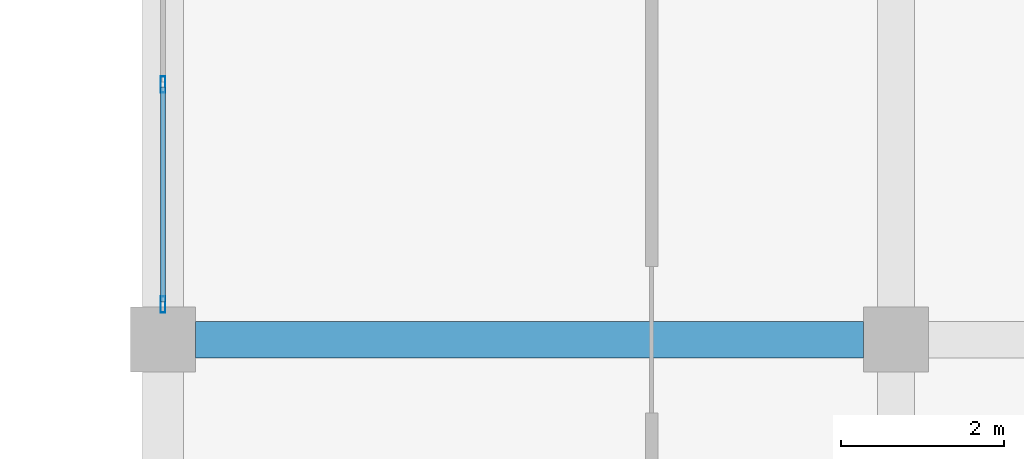
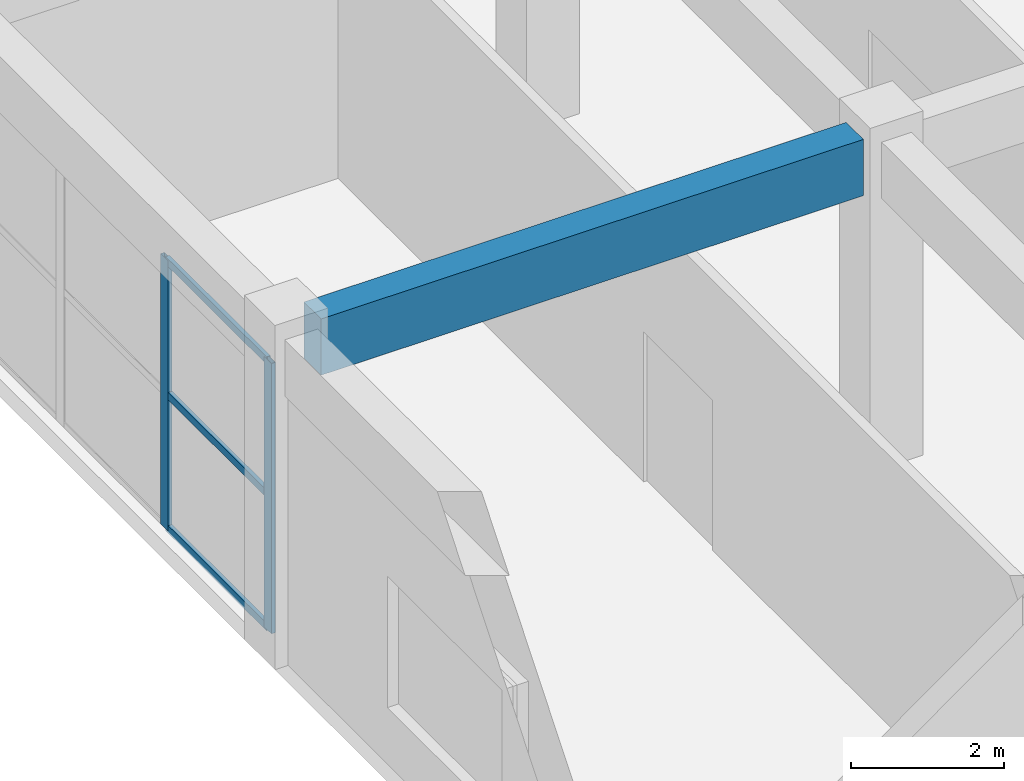
# One storey, part 200 of 437: 5 members, 1 beam, 1 element without a shape of its own.
"""IFC4 building model written with IfcOpenShell, lengths in metres."""

from ifc_helpers import new_model, si_unit, direction, frame, origin, origin_2d, place, context, subcontext, project, spatial, rectangle, hollow_rectangle, extrude, material, layer, layer_set, material_profile, profile_set, type_object, element, aggregate, save


model = new_model("IFC4")

# Units and contexts
model_context = context("Model", 3, precision=1e-05, world=origin(), true_north=direction((0.0, 1.0)))
body_context = subcontext(model_context, "Body", "Model", "MODEL_VIEW")
ifc_project = project(units=[si_unit("LENGTHUNIT", "METRE"), si_unit("AREAUNIT", "SQUARE_METRE"), si_unit("VOLUMEUNIT", "CUBIC_METRE"), si_unit("PLANEANGLEUNIT", "RADIAN"), si_unit("MASSUNIT", "GRAM", prefix="KILO")], contexts=[model_context])

# Site, building, storey
site_placement = place(None, origin())
site = spatial("IfcSite", under=ifc_project, at=site_placement, CompositionType="ELEMENT")
building_placement = place(site_placement, origin())
building = spatial("IfcBuilding", under=site, at=building_placement, Name="Opaline Strait Convention Centre", CompositionType="ELEMENT")
storey_placement = place(building_placement, frame((0.0, 0.0, 11.5)))
storey = spatial("IfcBuildingStorey", under=building, at=storey_placement, Name="L02", CompositionType="ELEMENT", Elevation=11.5)

# Curtain wall, members
ifc_material_1 = material(Name="Aluminium framed double glazing", Category="aluminium")
ifc_layer = layer(ifc_material_1, 0.199951171875)
ifc_layer_set = layer_set([ifc_layer], Name="Aluminium framed double glazing")
curtain_wall_type = type_object("IfcCurtainWallType", Name="Curtain wall 3000 module unitised", PredefinedType="NOTDEFINED", material=ifc_layer_set)
curtain_wall_placement = place(storey_placement, origin())
curtain_wall = element("IfcCurtainWall", 1, at=curtain_wall_placement, inside=storey, type_object=curtain_wall_type, Name="Curtain wall W L02 32/P", PredefinedType="NOTDEFINED")
ifc_material_2 = material(Name="Aluminium alloy 6063", Category="aluminium")
ifc_material_profile_1 = material_profile(ifc_material_2, hollow_rectangle(XDim=0.06005859375, YDim=0.199951171875, WallThickness=0.00390625, at=origin_2d()), Name="MULLION 60x200x4")
ifc_profile_set_1 = profile_set([ifc_material_profile_1], Name="Aluminium alloy 6063")
member_type_1 = type_object("IfcMemberType", Name="Curtain wall mullion 60 x 200", PredefinedType="MULLION", material=ifc_profile_set_1)
member_1_placement = place(storey_placement, frame((279.0, 117.429931640625, 0.0), z_axis=(0.0, 0.0, 1.0), x_axis=(-1.0, 0.0, 0.0)))
member_1 = element("IfcMember", 2, at=member_1_placement, type_object=member_type_1, Name="MCWR1 mullion 1", PredefinedType="MULLION", context=body_context, shape_type="SweptSolid", body=[
    extrude(hollow_rectangle(XDim=0.06005859375, YDim=0.199951171875, WallThickness=0.00390625, at=origin_2d()), origin(), (0.0, 0.0, 1.0), 4.320068359375),
])
member_2_placement = place(storey_placement, frame((279.0, 120.13330078125, 0.0), z_axis=(0.0, 0.0, 1.0), x_axis=(-1.0, 0.0, 0.0)))
member_2 = element("IfcMember", 3, at=member_2_placement, type_object=member_type_1, Name="MCWR1 mullion 2", PredefinedType="MULLION", context=body_context, shape_type="SweptSolid", body=[
    extrude(hollow_rectangle(XDim=0.06005859375, YDim=0.199951171875, WallThickness=0.00390625, at=origin_2d()), origin(), (0.0, 0.0, 1.0), 4.320068359375),
])
ifc_material_profile_2 = material_profile(ifc_material_2, hollow_rectangle(XDim=0.06005859375, YDim=0.1201171875, WallThickness=0.0029296875, at=origin_2d()), Name="TRANSOM 60x120x3")
ifc_profile_set_2 = profile_set([ifc_material_profile_2], Name="Aluminium alloy 6063")
member_type_2 = type_object("IfcMemberType", Name="Curtain wall transom 60 x 120", PredefinedType="USERDEFINED", material=ifc_profile_set_2)
member_3_placement = place(storey_placement, frame((279.0, 117.4599609375, 0.030029296875), z_axis=(0.0, 1.0, 0.0), x_axis=(-1.0, 0.0, 0.0)))
member_3 = element("IfcMember", 4, at=member_3_placement, type_object=member_type_2, Name="MCWR1 transom 1.1", ObjectType="TRANSOM", PredefinedType="USERDEFINED", context=body_context, shape_type="SweptSolid", body=[
    extrude(hollow_rectangle(XDim=0.06005859375, YDim=0.1201171875, WallThickness=0.0029296875, at=origin_2d()), origin(), (0.0, 0.0, 1.0), 2.643310546875),
])
member_4_placement = place(storey_placement, frame((279.0, 117.4599609375, 2.159912109375), z_axis=(0.0, 1.0, 0.0), x_axis=(-1.0, 0.0, 0.0)))
member_4 = element("IfcMember", 5, at=member_4_placement, type_object=member_type_2, Name="MCWR1 transom 1.2", ObjectType="TRANSOM", PredefinedType="USERDEFINED", context=body_context, shape_type="SweptSolid", body=[
    extrude(hollow_rectangle(XDim=0.06005859375, YDim=0.1201171875, WallThickness=0.0029296875, at=origin_2d()), origin(), (0.0, 0.0, 1.0), 2.643310546875),
])
member_5_placement = place(storey_placement, frame((279.0, 117.4599609375, 4.2900390625), z_axis=(0.0, 1.0, 0.0), x_axis=(-1.0, 0.0, 0.0)))
member_5 = element("IfcMember", 6, at=member_5_placement, type_object=member_type_2, Name="MCWR1 transom 1.3", ObjectType="TRANSOM", PredefinedType="USERDEFINED", context=body_context, shape_type="SweptSolid", body=[
    extrude(hollow_rectangle(XDim=0.06005859375, YDim=0.1201171875, WallThickness=0.0029296875, at=origin_2d()), origin(), (0.0, 0.0, 1.0), 2.643310546875),
])
aggregate(curtain_wall, [member_1, member_2, member_3, member_4, member_5])

# Beam
ifc_material_3 = material(Name="Concrete C35", Category="concrete")
ifc_material_profile_3 = material_profile(ifc_material_3, rectangle(XDim=0.449951171875, YDim=0.89990234375, at=origin_2d()), Name="RC 450x900")
ifc_profile_set_3 = profile_set([ifc_material_profile_3], Name="Concrete C35")
beam_type = type_object("IfcBeamType", Name="RC beam 450x900 C35", PredefinedType="BEAM", material=ifc_profile_set_3)
beam_placement = place(storey_placement, frame((279.39990234375, 117.0, 4.77001953125), z_axis=(1.0, 0.0, 0.0), x_axis=(0.0, 1.0, 0.0)))
element("IfcBeam", 7, at=beam_placement, inside=storey, type_object=beam_type, Name="XB1 L02 32/P-33/P", PredefinedType="BEAM", context=body_context, shape_type="SweptSolid", body=[
    extrude(rectangle(XDim=0.449951171875, YDim=0.89990234375, at=origin_2d()), origin(), (0.0, 0.0, 1.0), 8.2001953125),
])

save(model, "model.ifc")
